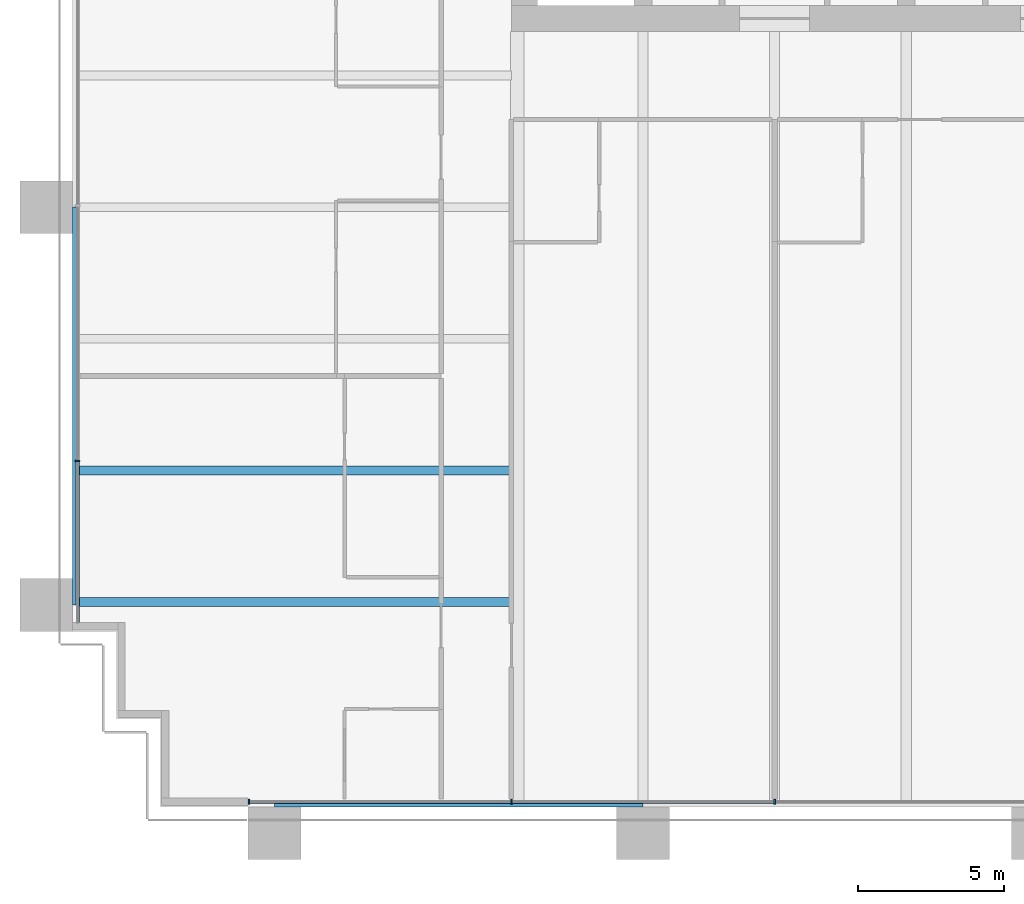
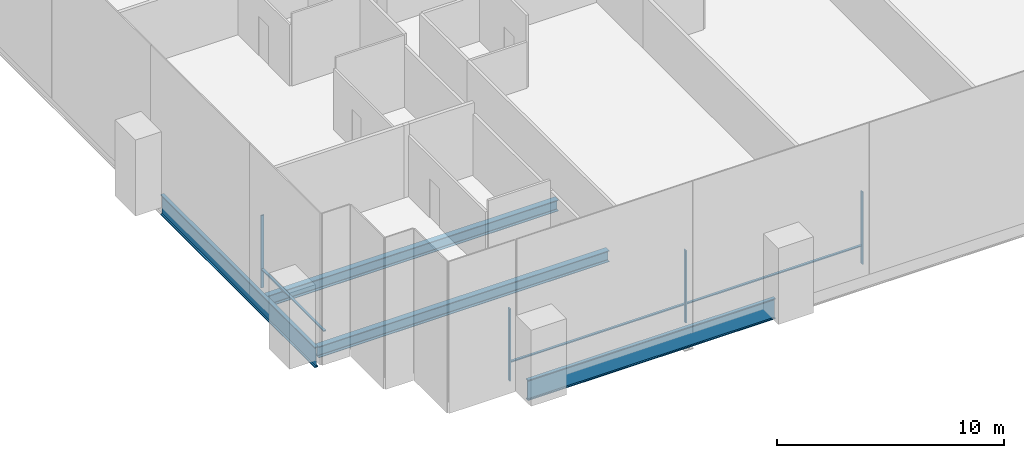
# One storey, part 2 of 18: 7 members, 4 beams, 2 elements without a shape of their own.
"""IFC4 building model written with IfcOpenShell, lengths in metres."""

from ifc_helpers import new_model, si_unit, direction, frame, origin, origin_2d, place, context, subcontext, project, spatial, rectangle, i_section, extrude, material, material_profile, profile_set, type_object, element, aggregate, save


model = new_model("IFC4")

# Units and contexts
model_context = context("Model", 3, precision=1e-05, world=origin(), true_north=direction((0.0, 1.0)))
body_context = subcontext(model_context, "Body", "Model", "MODEL_VIEW")
ifc_project = project(units=[si_unit("LENGTHUNIT", "METRE"), si_unit("AREAUNIT", "SQUARE_METRE"), si_unit("VOLUMEUNIT", "CUBIC_METRE"), si_unit("PLANEANGLEUNIT", "RADIAN"), si_unit("MASSUNIT", "GRAM", prefix="KILO")], contexts=[model_context])

# Site, building, storey
site_placement = place(None, origin())
site = spatial("IfcSite", under=ifc_project, at=site_placement, CompositionType="ELEMENT")
building_placement = place(site_placement, origin())
building = spatial("IfcBuilding", under=site, at=building_placement, Name="Rattan Terrace Tower", CompositionType="ELEMENT")
storey_placement = place(building_placement, frame((0.0, 0.0, 57.0)))
storey = spatial("IfcBuildingStorey", under=building, at=storey_placement, Name="L12", CompositionType="ELEMENT", Elevation=57.0)

# Curtain wall, member
ifc_material_1 = material(Name="Aluminium and glass", Category="aluminium")
curtain_wall_type = type_object("IfcCurtainWallType", Name="Facade Unitised Curtain Wall", PredefinedType="NOTDEFINED", material=ifc_material_1)
curtain_wall_1_placement = place(storey_placement, origin())
curtain_wall_1 = element("IfcCurtainWall", 1, at=curtain_wall_1_placement, inside=storey, type_object=curtain_wall_type, Name="Curtain wall L12-3", PredefinedType="NOTDEFINED")
ifc_material_2 = material(Name="Aluminium", Category="aluminium")
ifc_material_profile_1 = material_profile(ifc_material_2, rectangle(XDim=0.06005859375, YDim=0.159912109375, at=origin_2d()), Name="Aluminium 60x160")
ifc_profile_set_1 = profile_set([ifc_material_profile_1], Name="Aluminium")
member_type_1 = type_object("IfcMemberType", Name="Facade CW Mullion 60x160", PredefinedType="MULLION", material=ifc_profile_set_1)
member_1_placement = place(storey_placement, frame((-32.830078125, -22.180908203125, 0.0), z_axis=(0.0, 0.0, 1.0), x_axis=(0.0, -1.0, 0.0)))
member_1 = element("IfcMember", 2, at=member_1_placement, type_object=member_type_1, Name="Mullion cwl-L12-003.4", PredefinedType="MULLION", context=body_context, shape_type="SweptSolid", body=[
    extrude(rectangle(XDim=0.06005859375, YDim=0.159912109375, at=origin_2d()), origin(), (0.0, 0.0, 1.0), 3.89990234375),
])

# Curtain wall, members
curtain_wall_2_placement = place(storey_placement, origin())
curtain_wall_2 = element("IfcCurtainWall", 3, at=curtain_wall_2_placement, inside=storey, type_object=curtain_wall_type, Name="Curtain wall L12-4", PredefinedType="NOTDEFINED")
member_2_placement = place(storey_placement, frame((-26.969970703125, -33.830078125, 0.0), z_axis=(0.0, 0.0, 1.0), x_axis=(1.0, 0.0, 0.0)))
member_2 = element("IfcMember", 4, at=member_2_placement, type_object=member_type_1, Name="Mullion cwl-L12-004.1", PredefinedType="MULLION", context=body_context, shape_type="SweptSolid", body=[
    extrude(rectangle(XDim=0.06005859375, YDim=0.159912109375, at=origin_2d()), origin(), (0.0, 0.0, 1.0), 3.89990234375),
])
member_3_placement = place(storey_placement, frame((-18.0, -33.830078125, 0.0), z_axis=(0.0, 0.0, 1.0), x_axis=(1.0, 0.0, 0.0)))
member_3 = element("IfcMember", 5, at=member_3_placement, type_object=member_type_1, Name="Mullion cwl-L12-004.2", PredefinedType="MULLION", context=body_context, shape_type="SweptSolid", body=[
    extrude(rectangle(XDim=0.06005859375, YDim=0.159912109375, at=origin_2d()), origin(), (0.0, 0.0, 1.0), 3.89990234375),
])
member_4_placement = place(storey_placement, frame((-9.0, -33.830078125, 0.0), z_axis=(0.0, 0.0, 1.0), x_axis=(1.0, 0.0, 0.0)))
member_4 = element("IfcMember", 6, at=member_4_placement, type_object=member_type_1, Name="Mullion cwl-L12-004.3", PredefinedType="MULLION", context=body_context, shape_type="SweptSolid", body=[
    extrude(rectangle(XDim=0.06005859375, YDim=0.159912109375, at=origin_2d()), origin(), (0.0, 0.0, 1.0), 3.89990234375),
])

# Member
ifc_material_3 = material(Name="Aluminium", Category="aluminium")
ifc_material_profile_2 = material_profile(ifc_material_3, rectangle(XDim=0.1201171875, YDim=0.06005859375, at=origin_2d()), Name="Aluminium 120x60")
ifc_profile_set_2 = profile_set([ifc_material_profile_2], Name="Aluminium")
member_type_2 = type_object("IfcMemberType", Name="Facade CW Transom 120x60", PredefinedType="USERDEFINED", material=ifc_profile_set_2)
member_5_placement = place(storey_placement, frame((-32.830078125, -22.2109375, 1.0), z_axis=(0.0, -1.0, 0.0), x_axis=(1.0, 0.0, 0.0)))
member_5 = element("IfcMember", 7, at=member_5_placement, type_object=member_type_2, Name="Transom cwl-L12-003.4", ObjectType="TRANSOM", PredefinedType="USERDEFINED", context=body_context, shape_type="SweptSolid", body=[
    extrude(rectangle(XDim=0.1201171875, YDim=0.06005859375, at=origin_2d()), origin(), (0.0, 0.0, 1.0), 5.494140625),
])

aggregate(curtain_wall_1, [member_1, member_5])

member_6_placement = place(storey_placement, frame((-26.93994140625, -33.830078125, 1.0), z_axis=(1.0, 0.0, 0.0), x_axis=(0.0, 1.0, 0.0)))
member_6 = element("IfcMember", 8, at=member_6_placement, type_object=member_type_2, Name="Transom cwl-L12-004.1", ObjectType="TRANSOM", PredefinedType="USERDEFINED", context=body_context, shape_type="SweptSolid", body=[
    extrude(rectangle(XDim=0.1201171875, YDim=0.06005859375, at=origin_2d()), origin(), (0.0, 0.0, 1.0), 8.909912109375),
])

member_7_placement = place(storey_placement, frame((-17.969970703125, -33.830078125, 1.0), z_axis=(1.0, 0.0, 0.0), x_axis=(0.0, 1.0, 0.0)))
member_7 = element("IfcMember", 9, at=member_7_placement, type_object=member_type_2, Name="Transom cwl-L12-004.2", ObjectType="TRANSOM", PredefinedType="USERDEFINED", context=body_context, shape_type="SweptSolid", body=[
    extrude(rectangle(XDim=0.1201171875, YDim=0.06005859375, at=origin_2d()), origin(), (0.0, 0.0, 1.0), 8.93994140625),
])

aggregate(curtain_wall_2, [member_2, member_3, member_4, member_6, member_7])

# Beams
ifc_material_4 = material(Name="Steel S460", Category="steel")
ifc_material_profile_3 = material_profile(ifc_material_4, i_section(OverallWidth=0.179931640625, OverallDepth=1.10009765625, WebThickness=0.01611328125, FlangeThickness=0.050048828125, at=origin_2d()), Name="PG 1100x180-16-50")
ifc_profile_set_3 = profile_set([ifc_material_profile_3], Name="Steel S460")
beam_type_1 = type_object("IfcBeamType", Name="Frame edge girder PG 1100x180-16-50", PredefinedType="SPANDREL", material=ifc_profile_set_3)
beam_1_placement = place(storey_placement, frame((-26.10009765625, -33.909912109375, -0.75), z_axis=(1.0, 0.0, 0.0), x_axis=(0.0, 1.0, 0.0)))
element("IfcBeam", 10, at=beam_1_placement, inside=storey, type_object=beam_type_1, Name="gdr-L12-001", PredefinedType="SPANDREL", context=body_context, shape_type="SweptSolid", body=[
    extrude(i_section(OverallWidth=0.179931640625, OverallDepth=1.10009765625, WebThickness=0.01611328125, FlangeThickness=0.050048828125, at=origin_2d()), origin(), (0.0, 0.0, 1.0), 12.60009765625),
])
beam_2_placement = place(storey_placement, frame((-32.909912109375, -13.5, -0.75), z_axis=(0.0, -1.0, 0.0), x_axis=(1.0, 0.0, 0.0)))
element("IfcBeam", 11, at=beam_2_placement, inside=storey, type_object=beam_type_1, Name="gdr-L12-006", PredefinedType="SPANDREL", context=body_context, shape_type="SweptSolid", body=[
    extrude(i_section(OverallWidth=0.179931640625, OverallDepth=1.10009765625, WebThickness=0.01611328125, FlangeThickness=0.050048828125, at=origin_2d()), origin(), (0.0, 0.0, 1.0), 13.60009765625),
])
ifc_material_5 = material(Name="Steel S355", Category="steel")
ifc_material_profile_4 = material_profile(ifc_material_5, i_section(OverallWidth=0.300048828125, OverallDepth=0.60009765625, WebThickness=0.015380859375, FlangeThickness=0.030029296875, FilletRadius=0.027099609375, at=origin_2d()), Name="HE 600 B")
ifc_profile_set_4 = profile_set([ifc_material_profile_4], Name="Steel S355")
beam_type_2 = type_object("IfcBeamType", Name="Frame floor beam HE 600 B", PredefinedType="JOIST", material=ifc_profile_set_4)
for number, where, z_axis, x_axis, name in (
    (12, (-32.820068359375, -27.0, -0.5), (1.0, 0.0, 0.0), (0.0, 1.0, 0.0), "bm-L12-010"),
    (13, (-32.820068359375, -22.5, -0.5), (1.0, 0.0, 0.0), (0.0, 1.0, 0.0), "bm-L12-012"),
):
    element("IfcBeam", number, at=place(storey_placement, frame(where, z_axis=z_axis, x_axis=x_axis)), inside=storey, type_object=beam_type_2, Name=name, PredefinedType="JOIST", context=body_context, shape_type="SweptSolid", body=[
        extrude(i_section(OverallWidth=0.300048828125, OverallDepth=0.60009765625, WebThickness=0.015380859375, FlangeThickness=0.030029296875, FilletRadius=0.027099609375, at=origin_2d()), origin(), (0.0, 0.0, 1.0), 14.820068359375),
    ])

save(model, "model.ifc")
